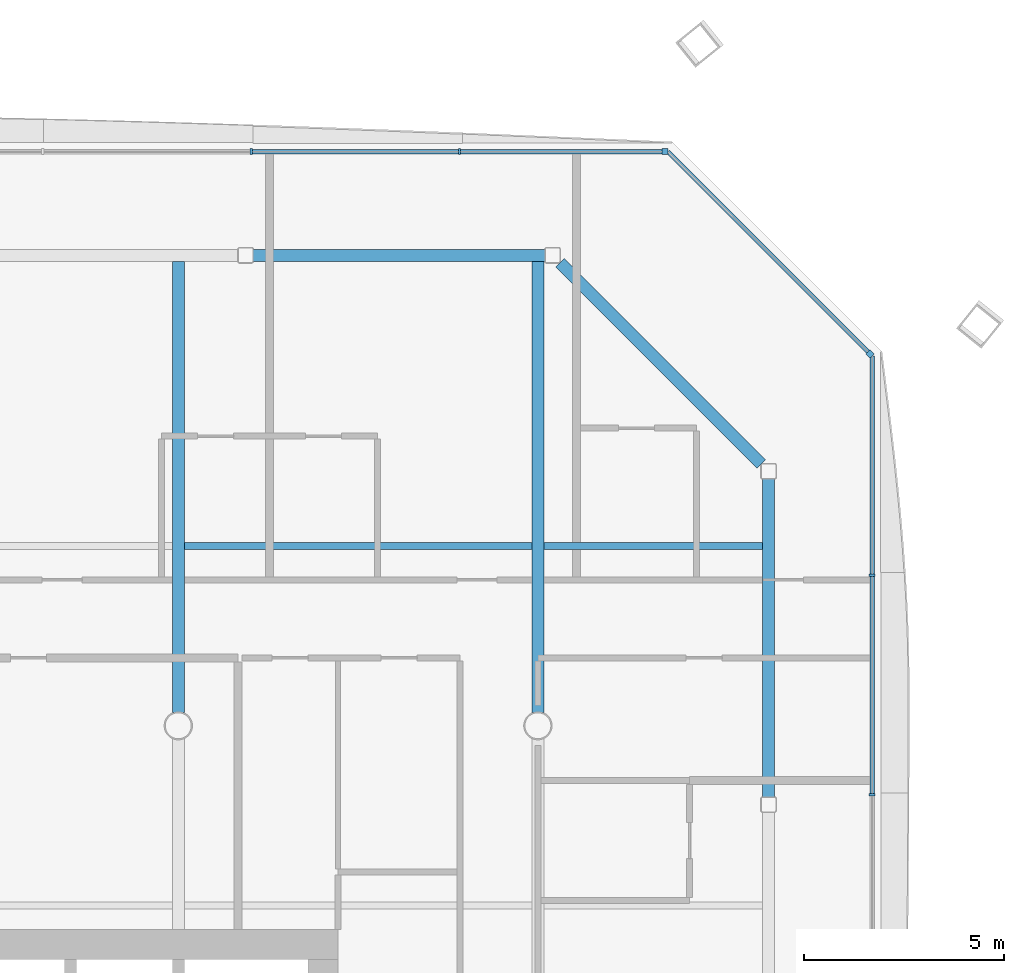
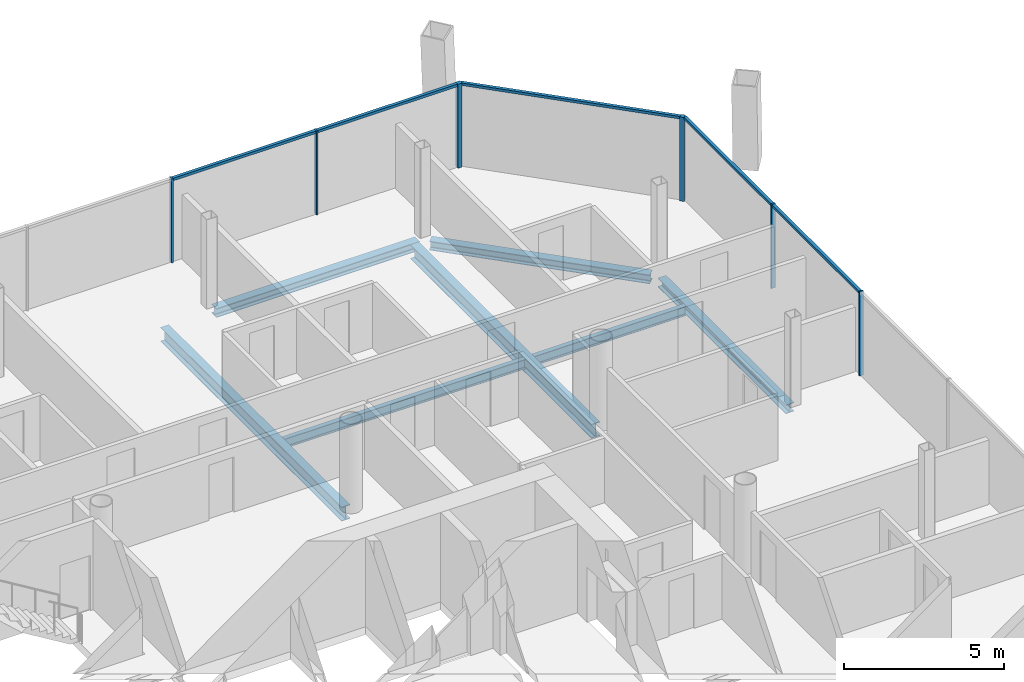
# One storey, part 10 of 21: 11 members, 7 beams, 3 elements without a shape of their own.
"""IFC4 building model written with IfcOpenShell, lengths in metres."""

from ifc_helpers import new_model, si_unit, direction, frame, origin, origin_2d, place, context, subcontext, project, spatial, rectangle, i_section, extrude, material, material_profile, profile_set, type_object, element, aggregate, save


model = new_model("IFC4")

# Units and contexts
model_context = context("Model", 3, precision=1e-05, world=origin(), true_north=direction((0.0, 1.0)))
body_context = subcontext(model_context, "Body", "Model", "MODEL_VIEW")
ifc_project = project(units=[si_unit("LENGTHUNIT", "METRE"), si_unit("AREAUNIT", "SQUARE_METRE"), si_unit("VOLUMEUNIT", "CUBIC_METRE"), si_unit("PLANEANGLEUNIT", "RADIAN"), si_unit("MASSUNIT", "GRAM", prefix="KILO")], contexts=[model_context])

# Site, building, storey
site_placement = place(None, origin())
site = spatial("IfcSite", under=ifc_project, at=site_placement, CompositionType="ELEMENT")
building_placement = place(site_placement, origin())
building = spatial("IfcBuilding", under=site, at=building_placement, Name="Tskaro Facet Tower", CompositionType="ELEMENT")
storey_placement = place(building_placement, frame((0.0, 0.0, 128.300048828125)))
storey = spatial("IfcBuildingStorey", under=building, at=storey_placement, Name="L30", CompositionType="ELEMENT", Elevation=128.300048828125)

# Curtain wall, member
ifc_material_1 = material(Name="Bronze anodised aluminium 6063-T6", Category="aluminium")
curtain_wall_type = type_object("IfcCurtainWallType", Name="Bronze hotel curtain wall (FW2)", PredefinedType="NOTDEFINED", material=ifc_material_1)
curtain_wall_1_placement = place(storey_placement, origin())
curtain_wall_1 = element("IfcCurtainWall", 1, at=curtain_wall_1_placement, inside=storey, type_object=curtain_wall_type, Name="FW2 north-east facet L30", PredefinedType="NOTDEFINED")
ifc_material_profile_1 = material_profile(ifc_material_1, rectangle(XDim=0.14990234375, YDim=0.14990234375, at=origin_2d()), Name="Corner post 150x150")
ifc_profile_set_1 = profile_set([ifc_material_profile_1], Name="Bronze anodised aluminium 6063-T6")
member_type_1 = type_object("IfcMemberType", Name="FW2 bronze corner post 150x150", PredefinedType="MULLION", material=ifc_profile_set_1)
member_1_placement = place(storey_placement, frame((26.31396484375, 18.30615234375, 0.0), z_axis=(0.0, 0.0, 1.0), x_axis=(-0.707106781187, 0.707106781187, 0.0)))
member_1 = element("IfcMember", 2, at=member_1_placement, type_object=member_type_1, Name="FW2 north-east corner post", PredefinedType="MULLION", context=body_context, shape_type="SweptSolid", body=[
    extrude(rectangle(XDim=0.14990234375, YDim=0.14990234375, at=origin_2d()), origin(), (0.0, 0.0, 1.0), 3.199951171875),
])

curtain_wall_2_placement = place(storey_placement, origin())
curtain_wall_2 = element("IfcCurtainWall", 3, at=curtain_wall_2_placement, inside=storey, type_object=curtain_wall_type, Name="FW2 north facet L30", PredefinedType="NOTDEFINED")
member_2_placement = place(storey_placement, frame((21.177978515625, 23.366943359375, 0.0), z_axis=(0.0, 0.0, 1.0), x_axis=(-1.0, 0.0, 0.0)))
member_2 = element("IfcMember", 4, at=member_2_placement, type_object=member_type_1, Name="FW2 north corner post", PredefinedType="MULLION", context=body_context, shape_type="SweptSolid", body=[
    extrude(rectangle(XDim=0.14990234375, YDim=0.14990234375, at=origin_2d()), origin(), (0.0, 0.0, 1.0), 3.199951171875),
])

# Curtain wall, members
curtain_wall_3_placement = place(storey_placement, origin())
curtain_wall_3 = element("IfcCurtainWall", 5, at=curtain_wall_3_placement, inside=storey, type_object=curtain_wall_type, Name="FW2 east facet L30", PredefinedType="NOTDEFINED")
ifc_material_profile_2 = material_profile(ifc_material_1, rectangle(XDim=0.06005859375, YDim=0.14990234375, at=origin_2d()), Name="Mullion 60x150")
ifc_profile_set_2 = profile_set([ifc_material_profile_2], Name="Bronze anodised aluminium 6063-T6")
member_type_2 = type_object("IfcMemberType", Name="FW2 bronze mullion 60x150", PredefinedType="MULLION", material=ifc_profile_set_2)
member_3_placement = place(storey_placement, frame((26.366943359375, 7.276123046875, 0.0), z_axis=(0.0, 0.0, 1.0), x_axis=(0.0, 1.0, 0.0)))
member_3 = element("IfcMember", 6, at=member_3_placement, type_object=member_type_2, Name="FW2 east mullion 5", PredefinedType="MULLION", context=body_context, shape_type="SweptSolid", body=[
    extrude(rectangle(XDim=0.06005859375, YDim=0.14990234375, at=origin_2d()), origin(), (0.0, 0.0, 1.0), 3.199951171875),
])
member_4_placement = place(storey_placement, frame((26.366943359375, 12.7646484375, 0.0), z_axis=(0.0, 0.0, 1.0), x_axis=(0.0, 1.0, 0.0)))
member_4 = element("IfcMember", 7, at=member_4_placement, type_object=member_type_2, Name="FW2 east mullion 6", PredefinedType="MULLION", context=body_context, shape_type="SweptSolid", body=[
    extrude(rectangle(XDim=0.06005859375, YDim=0.14990234375, at=origin_2d()), origin(), (0.0, 0.0, 1.0), 3.199951171875),
])

# Member
member_5_placement = place(storey_placement, frame((16.037841796875, 23.366943359375, 0.0), z_axis=(0.0, 0.0, 1.0), x_axis=(-1.0, 0.0, 0.0)))
member_5 = element("IfcMember", 8, at=member_5_placement, type_object=member_type_2, Name="FW2 north mullion 1", PredefinedType="MULLION", context=body_context, shape_type="SweptSolid", body=[
    extrude(rectangle(XDim=0.06005859375, YDim=0.14990234375, at=origin_2d()), origin(), (0.0, 0.0, 1.0), 3.199951171875),
])

member_6_placement = place(storey_placement, frame((10.82275390625, 23.366943359375, 0.0), z_axis=(0.0, 0.0, 1.0), x_axis=(-1.0, 0.0, 0.0)))
member_6 = element("IfcMember", 9, at=member_6_placement, type_object=member_type_2, Name="FW2 north mullion 2", PredefinedType="MULLION", context=body_context, shape_type="SweptSolid", body=[
    extrude(rectangle(XDim=0.06005859375, YDim=0.14990234375, at=origin_2d()), origin(), (0.0, 0.0, 1.0), 3.199951171875),
])

ifc_material_profile_3 = material_profile(ifc_material_1, rectangle(XDim=0.110107421875, YDim=0.10009765625, at=origin_2d()), Name="Transom 110x100")
ifc_profile_set_3 = profile_set([ifc_material_profile_3], Name="Bronze anodised aluminium 6063-T6")
member_type_3 = type_object("IfcMemberType", Name="FW2 bronze transom 110x100", PredefinedType="USERDEFINED", material=ifc_profile_set_3)
member_7_placement = place(storey_placement, frame((26.366943359375, 7.30615234375, 3.14990234375), z_axis=(0.0, 1.0, 0.0), x_axis=(-1.0, 0.0, 0.0)))
member_7 = element("IfcMember", 10, at=member_7_placement, type_object=member_type_3, Name="FW2 east transom 6.1", ObjectType="TRANSOM", PredefinedType="USERDEFINED", context=body_context, shape_type="SweptSolid", body=[
    extrude(rectangle(XDim=0.110107421875, YDim=0.10009765625, at=origin_2d()), origin(), (0.0, 0.0, 1.0), 5.428466796875),
])

member_8_placement = place(storey_placement, frame((26.366943359375, 12.794677734375, 3.14990234375), z_axis=(0.0, 1.0, 0.0), x_axis=(-1.0, 0.0, 0.0)))
member_8 = element("IfcMember", 11, at=member_8_placement, type_object=member_type_3, Name="FW2 east transom 7.1", ObjectType="TRANSOM", PredefinedType="USERDEFINED", context=body_context, shape_type="SweptSolid", body=[
    extrude(rectangle(XDim=0.110107421875, YDim=0.10009765625, at=origin_2d()), origin(), (0.0, 0.0, 1.0), 5.458251953125),
])

aggregate(curtain_wall_3, [member_3, member_4, member_7, member_8])

member_9_placement = place(storey_placement, frame((26.260986328125, 18.359130859375, 3.14990234375), z_axis=(-0.707124016974, 0.707089544979, 0.0), x_axis=(-0.707089544979, -0.707124016974, 0.0)))
member_9 = element("IfcMember", 12, at=member_9_placement, type_object=member_type_3, Name="FW2 north-east transom 1.1", ObjectType="TRANSOM", PredefinedType="USERDEFINED", context=body_context, shape_type="SweptSolid", body=[
    extrude(rectangle(XDim=0.110107421875, YDim=0.10009765625, at=origin_2d()), origin(), (0.0, 0.0, 1.0), 7.082275390625),
])

aggregate(curtain_wall_1, [member_1, member_9])

member_10_placement = place(storey_placement, frame((21.10302734375, 23.366943359375, 3.14990234375), z_axis=(-1.0, 0.0, 0.0), x_axis=(0.0, -1.0, 0.0)))
member_10 = element("IfcMember", 13, at=member_10_placement, type_object=member_type_3, Name="FW2 north transom 1.1", ObjectType="TRANSOM", PredefinedType="USERDEFINED", context=body_context, shape_type="SweptSolid", body=[
    extrude(rectangle(XDim=0.110107421875, YDim=0.10009765625, at=origin_2d()), origin(), (0.0, 0.0, 1.0), 5.03515625),
])

member_11_placement = place(storey_placement, frame((16.0078125, 23.366943359375, 3.14990234375), z_axis=(-1.0, 0.0, 0.0), x_axis=(0.0, -1.0, 0.0)))
member_11 = element("IfcMember", 14, at=member_11_placement, type_object=member_type_3, Name="FW2 north transom 2.1", ObjectType="TRANSOM", PredefinedType="USERDEFINED", context=body_context, shape_type="SweptSolid", body=[
    extrude(rectangle(XDim=0.110107421875, YDim=0.10009765625, at=origin_2d()), origin(), (0.0, 0.0, 1.0), 5.155029296875),
])

aggregate(curtain_wall_2, [member_2, member_5, member_6, member_10, member_11])

# Beams
ifc_material_2 = material(Name="Steel S355J2", Category="steel")
ifc_material_profile_4 = material_profile(ifc_material_2, i_section(OverallWidth=0.300048828125, OverallDepth=0.340087890625, WebThickness=0.011962890625, FlangeThickness=0.021484375, FilletRadius=0.027099609375, at=origin_2d()), Name="HE 340 B")
ifc_profile_set_4 = profile_set([ifc_material_profile_4], Name="Steel S355J2")
beam_type_1 = type_object("IfcBeamType", Name="HE 340 B ring beam", PredefinedType="BEAM", material=ifc_profile_set_4)
beam_1_placement = place(storey_placement, frame((23.77392578125, 7.2060546875, -0.31005859375), z_axis=(0.0, 1.0, 0.0), x_axis=(-1.0, 0.0, 0.0)))
element("IfcBeam", 15, at=beam_1_placement, inside=storey, type_object=beam_type_1, Name="HE 340 B EB9-3", PredefinedType="BEAM", context=body_context, shape_type="SweptSolid", body=[
    extrude(i_section(OverallWidth=0.300048828125, OverallDepth=0.340087890625, WebThickness=0.011962890625, FlangeThickness=0.021484375, FilletRadius=0.027099609375, at=origin_2d()), origin(), (0.0, 0.0, 1.0), 7.98193359375),
])
beam_2_placement = place(storey_placement, frame((23.588134765625, 15.553955078125, -0.31005859375), z_axis=(-0.707106781187, 0.707106781187, 0.0), x_axis=(-0.707106781187, -0.707106781187, 0.0)))
element("IfcBeam", 16, at=beam_2_placement, inside=storey, type_object=beam_type_1, Name="HE 340 B EB10-3", PredefinedType="BEAM", context=body_context, shape_type="SweptSolid", body=[
    extrude(i_section(OverallWidth=0.300048828125, OverallDepth=0.340087890625, WebThickness=0.011962890625, FlangeThickness=0.021484375, FilletRadius=0.027099609375, at=origin_2d()), origin(), (0.0, 0.0, 1.0), 7.119384765625),
])
beam_3_placement = place(storey_placement, frame((18.18798828125, 20.77392578125, -0.31005859375), z_axis=(-1.0, 0.0, 0.0), x_axis=(0.0, -1.0, 0.0)))
element("IfcBeam", 17, at=beam_3_placement, inside=storey, type_object=beam_type_1, Name="HE 340 B EB11-3", PredefinedType="BEAM", context=body_context, shape_type="SweptSolid", body=[
    extrude(i_section(OverallWidth=0.300048828125, OverallDepth=0.340087890625, WebThickness=0.011962890625, FlangeThickness=0.021484375, FilletRadius=0.027099609375, at=origin_2d()), origin(), (0.0, 0.0, 1.0), 7.323974609375),
])
ifc_material_profile_5 = material_profile(ifc_material_2, i_section(OverallWidth=0.300048828125, OverallDepth=0.5400390625, WebThickness=0.012451171875, FlangeThickness=0.02392578125, FilletRadius=0.027099609375, at=origin_2d()), Name="HE 550 A")
ifc_profile_set_5 = profile_set([ifc_material_profile_5], Name="Steel S355J2")
beam_type_2 = type_object("IfcBeamType", Name="HE 550 A long girder", PredefinedType="BEAM", material=ifc_profile_set_5)
for number, where, z_axis, x_axis, name in (
    (18, (9.0, 9.325439453125, -0.41015625), (0.0, 1.0, 0.0), (-1.0, 0.0, 0.0), "HE 550 A LGB5-3-3"),
    (19, (18.0, 9.325439453125, -0.41015625), (0.0, 1.0, 0.0), (-1.0, 0.0, 0.0), "HE 550 A LGB6-4-3"),
):
    element("IfcBeam", number, at=place(storey_placement, frame(where, z_axis=z_axis, x_axis=x_axis)), inside=storey, type_object=beam_type_2, Name=name, PredefinedType="BEAM", context=body_context, shape_type="SweptSolid", body=[
        extrude(i_section(OverallWidth=0.300048828125, OverallDepth=0.5400390625, WebThickness=0.012451171875, FlangeThickness=0.02392578125, FilletRadius=0.027099609375, at=origin_2d()), origin(), (0.0, 0.0, 1.0), 11.298583984375),
    ])
ifc_material_profile_6 = material_profile(ifc_material_2, i_section(OverallWidth=0.169921875, OverallDepth=0.360107421875, WebThickness=0.008056640625, FlangeThickness=0.0126953125, FilletRadius=0.01806640625, at=origin_2d()), Name="IPE 360")
ifc_profile_set_6 = profile_set([ifc_material_profile_6], Name="Steel S355J2")
beam_type_3 = type_object("IfcBeamType", Name="IPE 360 secondary beam", PredefinedType="BEAM", material=ifc_profile_set_6)
beam_4_placement = place(storey_placement, frame((9.14990234375, 13.5, -0.320068359375), z_axis=(1.0, 0.0, 0.0), x_axis=(0.0, 1.0, 0.0)))
element("IfcBeam", 20, at=beam_4_placement, inside=storey, type_object=beam_type_3, Name="IPE 360 SB5a-4-3", PredefinedType="BEAM", context=body_context, shape_type="SweptSolid", body=[
    extrude(i_section(OverallWidth=0.169921875, OverallDepth=0.360107421875, WebThickness=0.008056640625, FlangeThickness=0.0126953125, FilletRadius=0.01806640625, at=origin_2d()), origin(), (0.0, 0.0, 1.0), 8.7001953125),
])
beam_5_placement = place(storey_placement, frame((18.14990234375, 13.5, -0.320068359375), z_axis=(1.0, 0.0, 0.0), x_axis=(0.0, 1.0, 0.0)))
element("IfcBeam", 21, at=beam_5_placement, inside=storey, type_object=beam_type_3, Name="IPE 360 SB5a-5-3", PredefinedType="BEAM", context=body_context, shape_type="SweptSolid", body=[
    extrude(i_section(OverallWidth=0.169921875, OverallDepth=0.360107421875, WebThickness=0.008056640625, FlangeThickness=0.0126953125, FilletRadius=0.01806640625, at=origin_2d()), origin(), (0.0, 0.0, 1.0), 5.47412109375),
])

save(model, "model.ifc")
